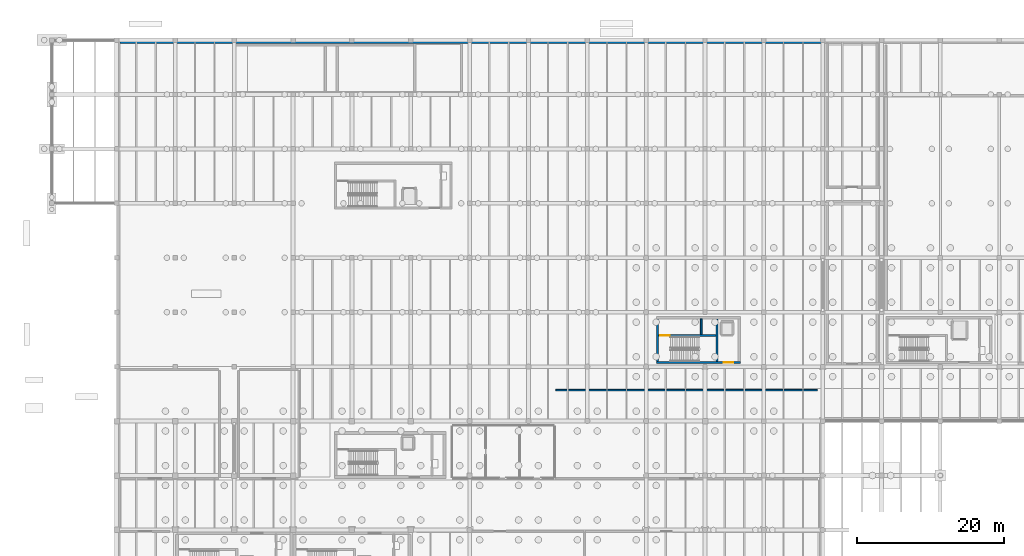
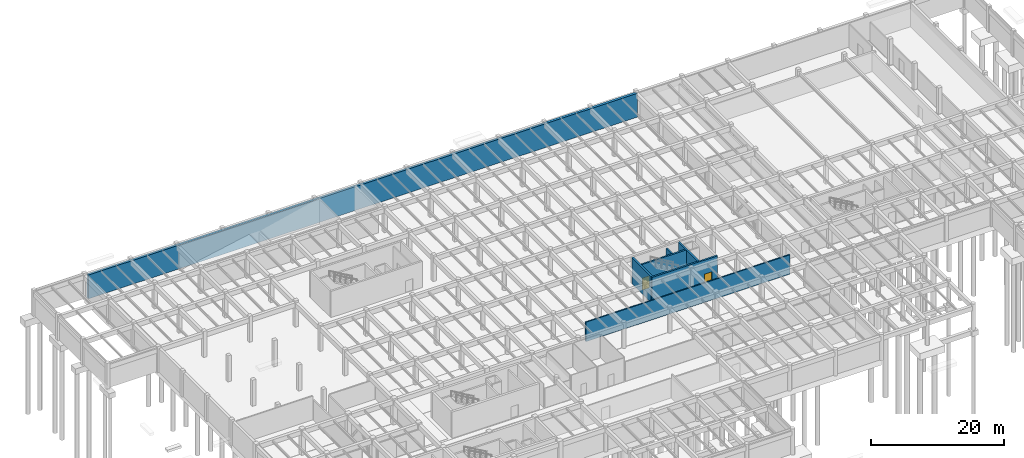
# One storey, part 23 of 40: 7 walls, 2 doors, 2 openings.
"""IFC4 building model written with IfcOpenShell, lengths in metres."""

from ifc_helpers import new_model, si_unit, direction, frame, frame_2d, origin, place, context, subcontext, project, spatial, rectangle, extrude, material, layer, layer_set, type_object, element, fill, save


model = new_model("IFC4")

# Units and contexts
model_context = context("Model", 3, precision=1e-05, world=origin(), true_north=direction((0.0, 1.0)))
body_context = subcontext(model_context, "Body", "Model", "MODEL_VIEW")
ifc_project = project(units=[si_unit("LENGTHUNIT", "METRE"), si_unit("AREAUNIT", "SQUARE_METRE"), si_unit("VOLUMEUNIT", "CUBIC_METRE"), si_unit("PLANEANGLEUNIT", "RADIAN"), si_unit("MASSUNIT", "GRAM", prefix="KILO")], contexts=[model_context])

# Site, building, storey
site_placement = place(None, origin())
site = spatial("IfcSite", under=ifc_project, at=site_placement, CompositionType="ELEMENT")
building_placement = place(site_placement, origin())
building = spatial("IfcBuilding", under=site, at=building_placement, Name="Valkorina Park Police Headquarters", CompositionType="ELEMENT")
storey_placement = place(building_placement, frame((0.0, 0.0, -4.800048828125)))
storey = spatial("IfcBuildingStorey", under=building, at=storey_placement, Name="B01", CompositionType="ELEMENT", Elevation=-4.800048828125)

# Wall
ifc_material_1 = material(Name="Autoclaved aerated concrete masonry", Category="masonry")
ifc_layer_1 = layer(ifc_material_1, 0.219970703125)
ifc_layer_set_1 = layer_set([ifc_layer_1], Name="Autoclaved aerated concrete masonry")
wall_type_1 = type_object("IfcWallType", Name="WL-CHASE-220-EI60", PredefinedType="PLUMBINGWALL", material=ifc_layer_set_1)
wall_1_placement = place(storey_placement, frame((88.2900390625, 70.97998046875, 0.0), z_axis=(0.0, 0.0, 1.0), x_axis=(0.0, 1.0, 0.0)))
element("IfcWall", 1, at=wall_1_placement, inside=storey, type_object=wall_type_1, Name="Core C6 B01 Riser Shaft West Wall", PredefinedType="PLUMBINGWALL", context=body_context, shape_type="SweptSolid", body=[
    extrude(rectangle(XDim=2.1201171875, YDim=0.219970703125, at=frame_2d((1.06005859375, 0.0))), origin(), (0.0, 0.0, 1.0), 4.380126953125),
])

# Wall, opening, door
ifc_material_2 = material(Name="Concrete C40/50", Category="concrete")
ifc_layer_2 = layer(ifc_material_2, 0.300048828125)
ifc_layer_set_2 = layer_set([ifc_layer_2], Name="Concrete C40/50")
wall_type_2 = type_object("IfcWallType", Name="WL-CORE-300-REI120", PredefinedType="SHEAR", material=ifc_layer_set_2)
wall_2_placement = place(storey_placement, frame((82.199951171875, 67.14990234375, 0.0), z_axis=(0.0, 0.0, 1.0), x_axis=(1.0, 0.0, 0.0)))
wall_2 = element("IfcWall", 2, at=wall_2_placement, inside=storey, type_object=wall_type_2, Name="Core C6 B01 Shear Wall S", PredefinedType="SHEAR", context=body_context, shape_type="SweptSolid", body=[
    extrude(rectangle(XDim=11.400146484375, YDim=0.300048828125, at=frame_2d((5.7001953125, 0.0))), origin(), (0.0, 0.0, 1.0), 4.795166015625),
])
opening_1_placement = place(wall_2_placement, frame((9.14990234375, 0.0, 0.0)))
opening_1 = element("IfcOpeningElement", 3, at=opening_1_placement, cuts=wall_2, Name="Opening FD-03", PredefinedType="OPENING", context=body_context, shape_type="SweptSolid", body=[
    extrude(rectangle(XDim=1.300048828125, YDim=2.199951171875, at=frame_2d((0.64990234375, 1.10009765625))), frame((0.0, 0.16015625, 0.0), z_axis=(0.0, -1.0, 0.0), x_axis=(1.0, 0.0, 0.0)), (0.0, 0.0, 1.0), 0.320068359375),
])
ifc_material_3 = material(Name="Galvanized steel door leaf", Category="steel")
ifc_layer_3 = layer(ifc_material_3, 0.050048828125)
ifc_layer_set_3 = layer_set([ifc_layer_3], Name="Galvanized steel door leaf")
door_type = type_object("IfcDoorType", Name="DR-FIRE-STAIR-1300x2200", OperationType="NOTDEFINED", PredefinedType="DOOR", material=ifc_layer_set_3)
door_1_placement = place(opening_1_placement, origin())
door_1 = element("IfcDoor", 4, at=door_1_placement, inside=storey, type_object=door_type, Name="Door D-B01-LBY-C6 (Core C6 Lobby Fire Door)", OperationType="SINGLE_SWING_RIGHT", OverallHeight=2.199951171875, OverallWidth=1.300048828125, PredefinedType="DOOR", context=body_context, shape_type="SweptSolid", body=[
    extrude(rectangle(XDim=1.300048828125, YDim=2.199951171875, at=frame_2d((0.64990234375, 1.10009765625))), frame((0.0, 0.02490234375, 0.0), z_axis=(0.0, -1.0, 0.0), x_axis=(1.0, 0.0, 0.0)), (0.0, 0.0, 1.0), 0.050048828125),
])
fill(opening_1, door_1)

# Walls
wall_3_placement = place(storey_placement, frame((82.35009765625, 67.300048828125, 0.0), z_axis=(0.0, 0.0, 1.0), x_axis=(0.0, 1.0, 0.0)))
element("IfcWall", 5, at=wall_3_placement, inside=storey, type_object=wall_type_2, Name="Core C6 B01 Shear Wall W", PredefinedType="SHEAR", context=body_context, shape_type="SweptSolid", body=[
    extrude(rectangle(XDim=5.800048828125, YDim=0.300048828125, at=frame_2d((2.89990234375, 0.0))), origin(), (0.0, 0.0, 1.0), 4.795166015625),
])
ifc_layer_4 = layer(ifc_material_1, 0.199951171875)
ifc_layer_set_4 = layer_set([ifc_layer_4], Name="Autoclaved aerated concrete masonry")
wall_type_3 = type_object("IfcWallType", Name="WL-CORR-200-EI60", PredefinedType="STANDARD", material=ifc_layer_set_4)
wall_4_placement = place(storey_placement, frame((68.5400390625, 63.39990234375, 0.0), z_axis=(0.0, 0.0, 1.0), x_axis=(1.0, 0.0, 0.0)))
element("IfcWall", 6, at=wall_4_placement, inside=storey, type_object=wall_type_3, Name="B01 Interior Partition 0023 (B01-PLT-04)", PredefinedType="STANDARD", context=body_context, shape_type="SweptSolid", body=[
    extrude(rectangle(XDim=35.52001953125, YDim=0.199951171875, at=frame_2d((17.760009765625, 0.0))), origin(), (0.0, 0.0, 1.0), 3.580078125),
])
ifc_material_4 = material(Name="Concrete C35/45", Category="concrete")
ifc_layer_5 = layer(ifc_material_4, 0.449951171875)
ifc_layer_set_5 = layer_set([ifc_layer_5], Name="Concrete C35/45")
wall_type_4 = type_object("IfcWallType", Name="WL-RETAIN-450-REI120", PredefinedType="SOLIDWALL", material=ifc_layer_set_5)
wall_5_placement = place(storey_placement, frame((9.25, 110.77490234375, 0.0), z_axis=(0.0, 0.0, 1.0), x_axis=(1.0, 0.0, 0.0)))
element("IfcWall", 7, at=wall_5_placement, inside=storey, type_object=wall_type_4, Name="B01 Basement Retaining Wall 04", PredefinedType="SOLIDWALL", context=body_context, shape_type="SweptSolid", body=[
    extrude(rectangle(XDim=95.550048828125, YDim=0.449951171875, at=frame_2d((47.77490234375, 0.0))), origin(), (0.0, 0.0, 1.0), 4.380126953125),
])
ifc_layer_6 = layer(ifc_material_2, 0.280029296875)
ifc_layer_set_6 = layer_set([ifc_layer_6], Name="Concrete C40/50")
wall_type_5 = type_object("IfcWallType", Name="WL-STAIR-280-REI120", PredefinedType="SHEAR", material=ifc_layer_set_6)
wall_6_placement = place(storey_placement, frame((90.43994140625, 67.300048828125, 0.0), z_axis=(0.0, 0.0, 1.0), x_axis=(0.0, 1.0, 0.0)))
element("IfcWall", 8, at=wall_6_placement, inside=storey, type_object=wall_type_5, Name="Core C6 B01 Shear Wall DIV", PredefinedType="SHEAR", context=body_context, shape_type="SweptSolid", body=[
    extrude(rectangle(XDim=5.800048828125, YDim=0.280029296875, at=frame_2d((2.89990234375, 0.0))), origin(), (0.0, 0.0, 1.0), 4.795166015625),
])

# Wall, opening, door
wall_7_placement = place(storey_placement, frame((82.5, 70.840087890625, 0.0), z_axis=(0.0, 0.0, 1.0), x_axis=(1.0, 0.0, 0.0)))
wall_7 = element("IfcWall", 9, at=wall_7_placement, inside=storey, type_object=wall_type_5, Name="Core C6 B01 Shear Wall SIDE", PredefinedType="SHEAR", context=body_context, shape_type="SweptSolid", body=[
    extrude(rectangle(XDim=7.800048828125, YDim=0.280029296875, at=frame_2d((3.89990234375, 0.0))), origin(), (0.0, 0.0, 1.0), 4.795166015625),
])
opening_2_placement = place(wall_7_placement, frame((0.199951171875, 0.0, 0.0)))
opening_2 = element("IfcOpeningElement", 10, at=opening_2_placement, cuts=wall_7, Name="Opening FD-03", PredefinedType="OPENING", context=body_context, shape_type="SweptSolid", body=[
    extrude(rectangle(XDim=1.300048828125, YDim=2.199951171875, at=frame_2d((0.64990234375, 1.10009765625))), frame((0.0, 0.14990234375, 0.0), z_axis=(0.0, -1.0, 0.0), x_axis=(1.0, 0.0, 0.0)), (0.0, 0.0, 1.0), 0.300048828125),
])
door_2_placement = place(opening_2_placement, origin())
door_2 = element("IfcDoor", 11, at=door_2_placement, inside=storey, type_object=door_type, Name="Door D-B01-C159 (ST-06 Stair Fire Door)", OperationType="SINGLE_SWING_RIGHT", OverallHeight=2.199951171875, OverallWidth=1.300048828125, PredefinedType="DOOR", context=body_context, shape_type="SweptSolid", body=[
    extrude(rectangle(XDim=1.300048828125, YDim=2.199951171875, at=frame_2d((0.64990234375, 1.10009765625))), frame((0.0, 0.02490234375, 0.0), z_axis=(0.0, -1.0, 0.0), x_axis=(1.0, 0.0, 0.0)), (0.0, 0.0, 1.0), 0.050048828125),
])
fill(opening_2, door_2)

save(model, "model.ifc")
